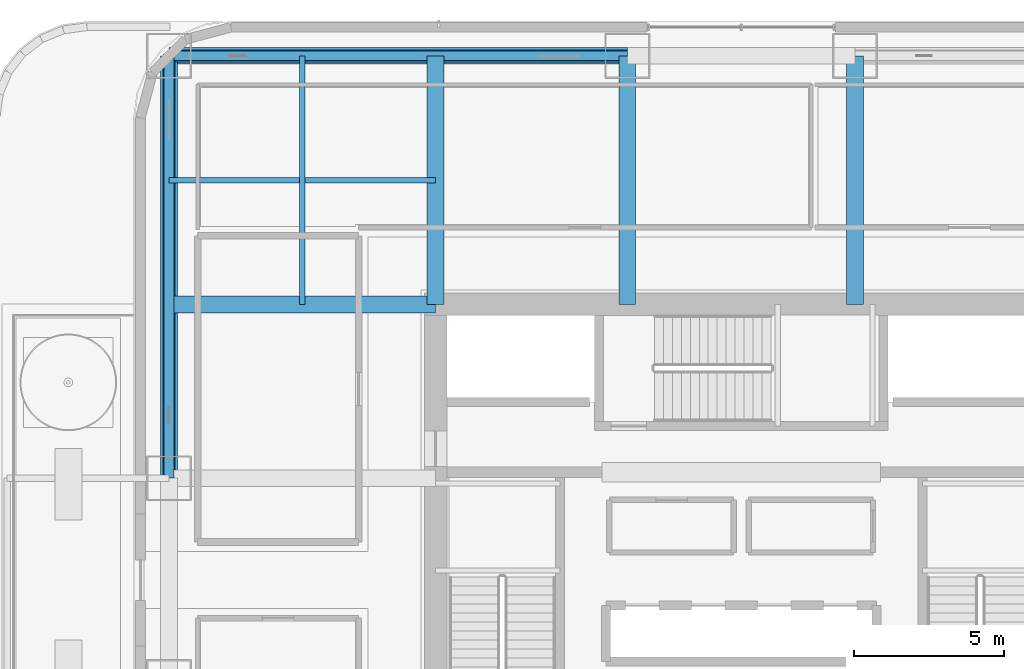
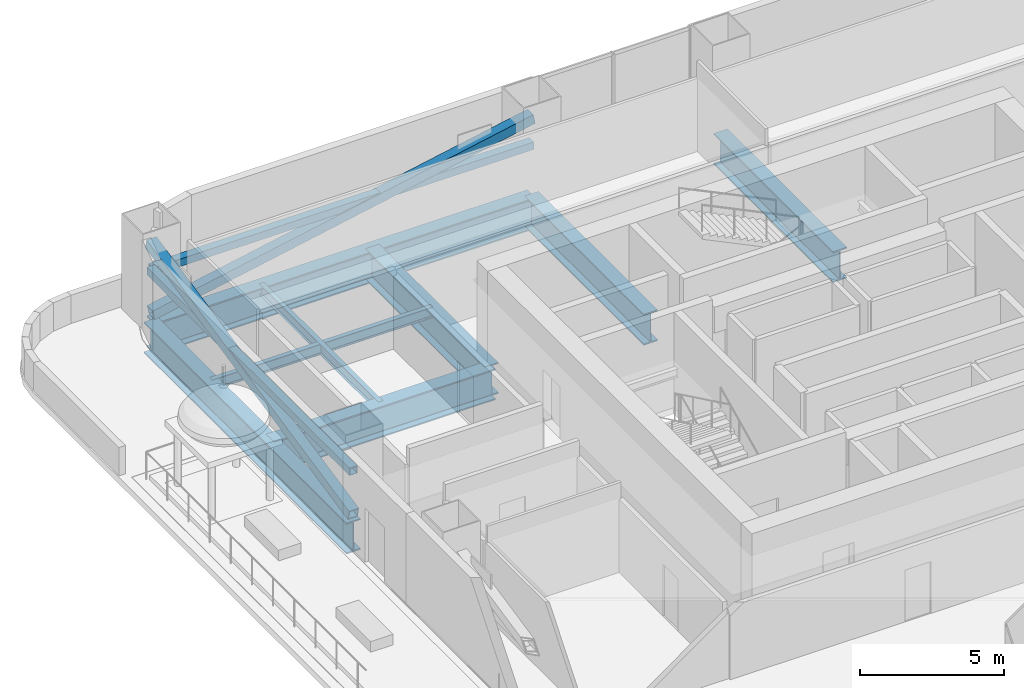
# One storey, part 5 of 27: 8 beams, 4 members.
"""IFC4 building model written with IfcOpenShell, lengths in metres."""

from ifc_helpers import new_model, si_unit, direction, frame, origin, origin_2d, place, context, subcontext, project, spatial, hollow_rectangle, i_section, extrude, material, material_profile, profile_set, type_object, element, save


model = new_model("IFC4")

# Units and contexts
model_context = context("Model", 3, precision=1e-05, world=origin(), true_north=direction((0.0, 1.0)))
body_context = subcontext(model_context, "Body", "Model", "MODEL_VIEW")
ifc_project = project(units=[si_unit("LENGTHUNIT", "METRE"), si_unit("AREAUNIT", "SQUARE_METRE"), si_unit("VOLUMEUNIT", "CUBIC_METRE"), si_unit("PLANEANGLEUNIT", "RADIAN"), si_unit("MASSUNIT", "GRAM", prefix="KILO")], contexts=[model_context])

# Site, building, storey
site_placement = place(None, origin())
site = spatial("IfcSite", under=ifc_project, at=site_placement, CompositionType="ELEMENT")
building_placement = place(site_placement, origin())
building = spatial("IfcBuilding", under=site, at=building_placement, Name="Punatoya Terracotta Tower", CompositionType="ELEMENT")
storey_placement = place(building_placement, frame((0.0, 0.0, 60.60009765625)))
storey = spatial("IfcBuildingStorey", under=building, at=storey_placement, Name="L13", CompositionType="ELEMENT", Elevation=60.60009765625)

# Beams
ifc_material_1 = material(Name="Steel S355", Category="steel")
ifc_material_profile_1 = material_profile(ifc_material_1, i_section(OverallWidth=0.18994140625, OverallDepth=0.449951171875, WebThickness=0.009521484375, FlangeThickness=0.0146484375, FilletRadius=0.01806640625, at=origin_2d()))
ifc_profile_set_1 = profile_set([ifc_material_profile_1], Name="Steel S355")
beam_type_1 = type_object("IfcBeamType", Name="BM-SEC-450", PredefinedType="JOIST", material=ifc_profile_set_1)
beam_1_placement = place(storey_placement, frame((-19.10009765625, 13.35009765625, -0.505126953125), z_axis=(1.0, 0.0, 0.0), x_axis=(0.0, 1.0, 0.0)))
element("IfcBeam", 1, at=beam_1_placement, inside=storey, type_object=beam_type_1, Name="BM-L13-SJN-1", PredefinedType="JOIST", context=body_context, shape_type="SweptSolid", body=[
    extrude(i_section(OverallWidth=0.18994140625, OverallDepth=0.449951171875, WebThickness=0.009521484375, FlangeThickness=0.0146484375, FilletRadius=0.01806640625, at=origin_2d()), origin(), (0.0, 0.0, 1.0), 8.900146484375),
])
beam_2_placement = place(storey_placement, frame((-14.64990234375, 9.199951171875, -0.505126953125), z_axis=(0.0, 1.0, 0.0), x_axis=(-1.0, 0.0, 0.0)))
element("IfcBeam", 2, at=beam_2_placement, inside=storey, type_object=beam_type_1, Name="BM-L13-SJW-2", PredefinedType="JOIST", context=body_context, shape_type="SweptSolid", body=[
    extrude(i_section(OverallWidth=0.18994140625, OverallDepth=0.449951171875, WebThickness=0.009521484375, FlangeThickness=0.0146484375, FilletRadius=0.01806640625, at=origin_2d()), origin(), (0.0, 0.0, 1.0), 8.300048828125),
])
ifc_material_2 = material(Name="Steel S460", Category="steel")
ifc_material_profile_2 = material_profile(ifc_material_2, i_section(OverallWidth=0.56005859375, OverallDepth=1.320068359375, WebThickness=0.035888671875, FlangeThickness=0.054931640625, FilletRadius=0.01806640625, at=origin_2d()))
ifc_profile_set_2 = profile_set([ifc_material_profile_2], Name="Steel S460")
beam_type_2 = type_object("IfcBeamType", Name="BM-TG-BLK", PredefinedType="BEAM", material=ifc_profile_set_2)
beam_3_placement = place(storey_placement, frame((-19.10009765625, 17.5, -0.940185546875), z_axis=(1.0, 0.0, 0.0), x_axis=(0.0, 1.0, 0.0)))
element("IfcBeam", 3, at=beam_3_placement, inside=storey, type_object=beam_type_2, Name="BM-L13-RG-N1", PredefinedType="BEAM", context=body_context, shape_type="SweptSolid", body=[
    extrude(i_section(OverallWidth=0.56005859375, OverallDepth=1.320068359375, WebThickness=0.035888671875, FlangeThickness=0.054931640625, FilletRadius=0.01806640625, at=origin_2d()), origin(), (0.0, 0.0, 1.0), 15.300048828125),
])
beam_4_placement = place(storey_placement, frame((-19.10009765625, 3.39990234375, -0.940185546875), z_axis=(0.0, 1.0, 0.0), x_axis=(-1.0, 0.0, 0.0)))
element("IfcBeam", 4, at=beam_4_placement, inside=storey, type_object=beam_type_2, Name="BM-L13-RG-W3", PredefinedType="BEAM", context=body_context, shape_type="SweptSolid", body=[
    extrude(i_section(OverallWidth=0.56005859375, OverallDepth=1.320068359375, WebThickness=0.035888671875, FlangeThickness=0.054931640625, FilletRadius=0.01806640625, at=origin_2d()), origin(), (0.0, 0.0, 1.0), 14.10009765625),
])
beam_5_placement = place(storey_placement, frame((-19.10009765625, 9.199951171875, -0.940185546875), z_axis=(1.0, 0.0, 0.0), x_axis=(0.0, 1.0, 0.0)))
element("IfcBeam", 5, at=beam_5_placement, inside=storey, type_object=beam_type_2, Name="BM-L13-PR-WN", PredefinedType="BEAM", context=body_context, shape_type="SweptSolid", body=[
    extrude(i_section(OverallWidth=0.56005859375, OverallDepth=1.320068359375, WebThickness=0.035888671875, FlangeThickness=0.054931640625, FilletRadius=0.01806640625, at=origin_2d()), origin(), (0.0, 0.0, 1.0), 8.900146484375),
])
for number, where, z_axis, x_axis, name in (
    (6, (-10.199951171875, 9.199951171875, -0.940185546875), (0.0, 1.0, 0.0), (-1.0, 0.0, 0.0), "BM-L13-PR-N1"),
    (7, (-3.800048828125, 9.199951171875, -0.940185546875), (0.0, 1.0, 0.0), (-1.0, 0.0, 0.0), "BM-L13-PR-N2"),
    (8, (3.800048828125, 9.199951171875, -0.940185546875), (0.0, 1.0, 0.0), (-1.0, 0.0, 0.0), "BM-L13-PR-N3"),
):
    element("IfcBeam", number, at=place(storey_placement, frame(where, z_axis=z_axis, x_axis=x_axis)), inside=storey, type_object=beam_type_2, Name=name, PredefinedType="BEAM", context=body_context, shape_type="SweptSolid", body=[
        extrude(i_section(OverallWidth=0.56005859375, OverallDepth=1.320068359375, WebThickness=0.035888671875, FlangeThickness=0.054931640625, FilletRadius=0.01806640625, at=origin_2d()), origin(), (0.0, 0.0, 1.0), 8.300048828125),
    ])

# Members
ifc_material_profile_3 = material_profile(ifc_material_2, hollow_rectangle(XDim=0.320068359375, YDim=0.320068359375, WallThickness=0.01806640625, at=origin_2d()))
ifc_profile_set_3 = profile_set([ifc_material_profile_3], Name="Steel S460")
member_type_1 = type_object("IfcMemberType", Name="MEM-CHD-320", PredefinedType="CHORD", material=ifc_profile_set_3)
member_1_placement = place(storey_placement, frame((-19.10009765625, 17.5, 1.849853515625), z_axis=(1.0, 0.0, 0.0), x_axis=(0.0, 1.0, 0.0)))
element("IfcMember", 9, at=member_1_placement, inside=storey, type_object=member_type_1, Name="L13 Exoskeleton Belt Truss Tie Chord N1", PredefinedType="CHORD", context=body_context, shape_type="SweptSolid", body=[
    extrude(hollow_rectangle(XDim=0.320068359375, YDim=0.320068359375, WallThickness=0.01806640625, at=origin_2d()), origin(), (0.0, 0.0, 1.0), 15.300048828125),
])
member_2_placement = place(storey_placement, frame((-19.10009765625, 3.39990234375, 1.849853515625), z_axis=(0.0, 1.0, 0.0), x_axis=(-1.0, 0.0, 0.0)))
element("IfcMember", 10, at=member_2_placement, inside=storey, type_object=member_type_1, Name="L13 Exoskeleton Belt Truss Tie Chord W3", PredefinedType="CHORD", context=body_context, shape_type="SweptSolid", body=[
    extrude(hollow_rectangle(XDim=0.320068359375, YDim=0.320068359375, WallThickness=0.01806640625, at=origin_2d()), origin(), (0.0, 0.0, 1.0), 14.10009765625),
])
ifc_material_profile_4 = material_profile(ifc_material_2, hollow_rectangle(XDim=0.39990234375, YDim=0.39990234375, WallThickness=0.02197265625, at=origin_2d()))
ifc_profile_set_4 = profile_set([ifc_material_profile_4], Name="Steel S460")
member_type_2 = type_object("IfcMemberType", Name="MEM-EXO-400", PredefinedType="BRACE", material=ifc_profile_set_4)
member_3_placement = place(storey_placement, frame((-19.10009765625, 17.5, 0.02001953125), z_axis=(0.981434908309, 0.0, 0.191795518072), x_axis=(0.0, 1.0, 0.0)))
element("IfcMember", 11, at=member_3_placement, inside=storey, type_object=member_type_2, Name="L13 Exoskeleton Belt Brace N1", PredefinedType="BRACE", context=body_context, shape_type="SweptSolid", body=[
    extrude(hollow_rectangle(XDim=0.39990234375, YDim=0.39990234375, WallThickness=0.02197265625, at=origin_2d()), origin(), (0.0, 0.0, 1.0), 15.58935546875),
])
member_4_placement = place(storey_placement, frame((-19.10009765625, 3.39990234375, 0.02001953125), z_axis=(0.0, 0.978247355132, 0.207441828415), x_axis=(-1.0, 0.0, 0.0)))
element("IfcMember", 12, at=member_4_placement, inside=storey, type_object=member_type_2, Name="L13 Exoskeleton Belt Brace W3", PredefinedType="BRACE", context=body_context, shape_type="SweptSolid", body=[
    extrude(hollow_rectangle(XDim=0.39990234375, YDim=0.39990234375, WallThickness=0.02197265625, at=origin_2d()), origin(), (0.0, 0.0, 1.0), 14.41357421875),
])

save(model, "model.ifc")
